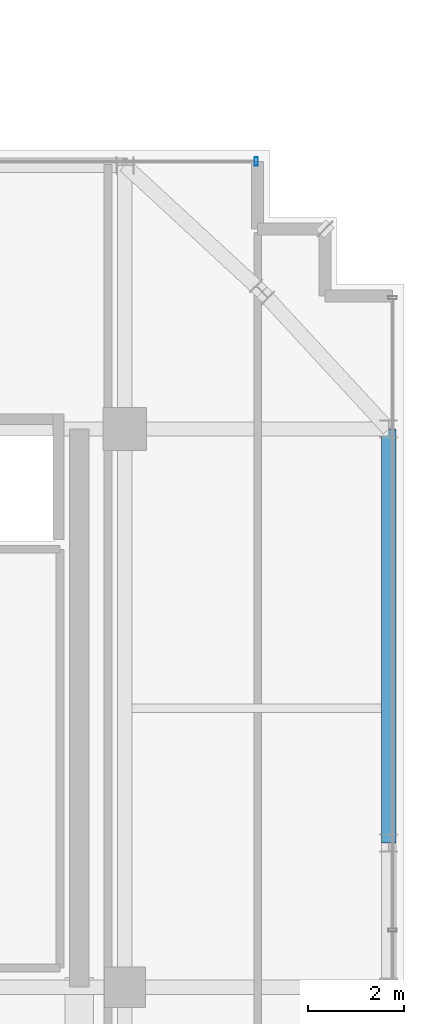
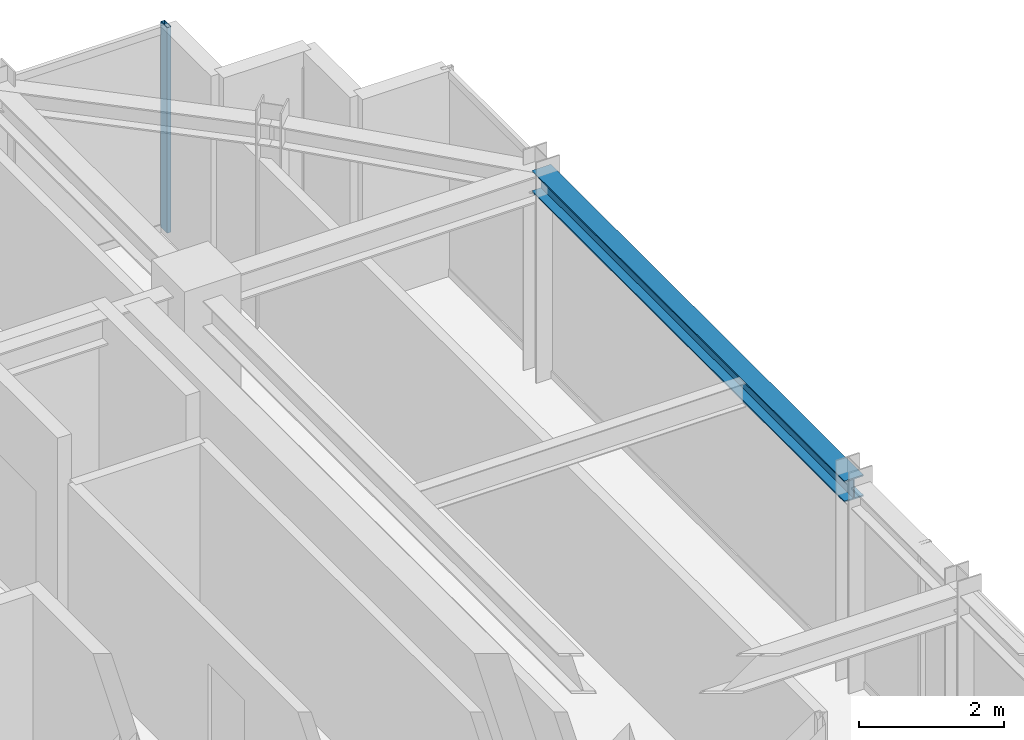
# One storey, part 23 of 36: 1 beam, 1 member, 1 element without a shape of its own.
"""IFC4 building model written with IfcOpenShell, lengths in metres."""

from ifc_helpers import new_model, si_unit, direction, frame, origin, origin_2d, place, context, subcontext, project, spatial, hollow_rectangle, i_section, extrude, source, transform, mapped, material, material_profile, profile_set, type_object, element, aggregate, save


model = new_model("IFC4")

# Units and contexts
model_context = context("Model", 3, precision=1e-05, world=origin(), true_north=direction((0.0, 1.0)))
body_context = subcontext(model_context, "Body", "Model", "MODEL_VIEW")
ifc_project = project(units=[si_unit("LENGTHUNIT", "METRE"), si_unit("AREAUNIT", "SQUARE_METRE"), si_unit("VOLUMEUNIT", "CUBIC_METRE"), si_unit("PLANEANGLEUNIT", "RADIAN"), si_unit("MASSUNIT", "GRAM", prefix="KILO")], contexts=[model_context])

# Site, building, storey
site_placement = place(None, origin())
site = spatial("IfcSite", under=ifc_project, at=site_placement, CompositionType="ELEMENT")
building_placement = place(site_placement, origin())
building = spatial("IfcBuilding", under=site, at=building_placement, Name="Nahalor Promenade Grand Hotel", CompositionType="ELEMENT")
storey_placement = place(building_placement, frame((0.0, 0.0, 273.800048828125)))
storey = spatial("IfcBuildingStorey", under=building, at=storey_placement, Name="L70", CompositionType="ELEMENT", Elevation=273.800048828125)

# Beam
ifc_material_1 = material(Name="Steel S355JR", Category="steel")
ifc_material_profile_1 = material_profile(ifc_material_1, i_section(OverallWidth=0.3, OverallDepth=0.36, WebThickness=0.0125, FlangeThickness=0.0225, at=origin_2d()), Name="HEB 360")
ifc_profile_set_1 = profile_set([ifc_material_profile_1], Name="Steel S355JR")
beam_type = type_object("IfcBeamType", Name="Beam-Spandrel-HEB360", PredefinedType="SPANDREL", material=ifc_profile_set_1)
shared_shape_1 = source(origin(), body_context, "Body", "SweptSolid", [
    extrude(i_section(OverallWidth=0.3, OverallDepth=0.36, WebThickness=0.0125, FlangeThickness=0.0225, at=origin_2d()), origin(), (0.0, 0.0, 1.0), 8.60009765625),
])
beam_placement = place(storey_placement, frame((22.47998046875, 8.39990234375, 3.27001953125), z_axis=(0.0, 1.0, 0.0), x_axis=(-1.0, 0.0, 0.0)))
element("IfcBeam", 1, at=beam_placement, inside=storey, type_object=beam_type, Name="BM-L70-SP-E-4", PredefinedType="SPANDREL", context=body_context, shape_type="MappedRepresentation", body=[
    mapped(shared_shape_1, transform((0.0, 0.0, 0.0), scale=1.0)),
])

# Curtain wall, member
ifc_material_2 = material(Name="Anodised Bronze Aluminium EN AW-6063 T6", Category="aluminium")
curtain_wall_type = type_object("IfcCurtainWallType", Name="CW2 Typical Hotel Flush Bronze Unitised Curtain Wall", PredefinedType="USERDEFINED", material=ifc_material_2)
curtain_wall_placement = place(storey_placement, origin())
curtain_wall = element("IfcCurtainWall", 2, at=curtain_wall_placement, inside=storey, type_object=curtain_wall_type, Name="L70 Curtain Wall CW-L70-N-3", ObjectType="UNITISED_CURTAIN_WALL", PredefinedType="USERDEFINED")
ifc_material_profile_2 = material_profile(ifc_material_2, hollow_rectangle(XDim=0.065, YDim=0.18, WallThickness=0.004, at=origin_2d()), Name="CWM 65x180x4")
ifc_profile_set_2 = profile_set([ifc_material_profile_2], Name="Anodised Bronze Aluminium EN AW-6063 T6")
member_type = type_object("IfcMemberType", Name="CWM2 Typical Bronze Mullion 65x180", PredefinedType="MULLION", material=ifc_profile_set_2)
shared_shape_2 = source(origin(), body_context, "Body", "SweptSolid", [
    extrude(hollow_rectangle(XDim=0.065, YDim=0.18, WallThickness=0.004, at=origin_2d()), origin(), (0.0, 0.0, 1.0), 3.449951171875),
])
member_placement = place(storey_placement, frame((19.7275390625, 22.56005859375, 0.0), z_axis=(0.0, 0.0, 1.0), x_axis=(1.0, 0.0, 0.0)))
member = element("IfcMember", 3, at=member_placement, type_object=member_type, Name="CW-L70-N-3 Mullion 1", PredefinedType="MULLION", context=body_context, shape_type="MappedRepresentation", body=[
    mapped(shared_shape_2, transform((0.0, 0.0, 0.0), scale=1.0)),
])
aggregate(curtain_wall, [member])

save(model, "model.ifc")
